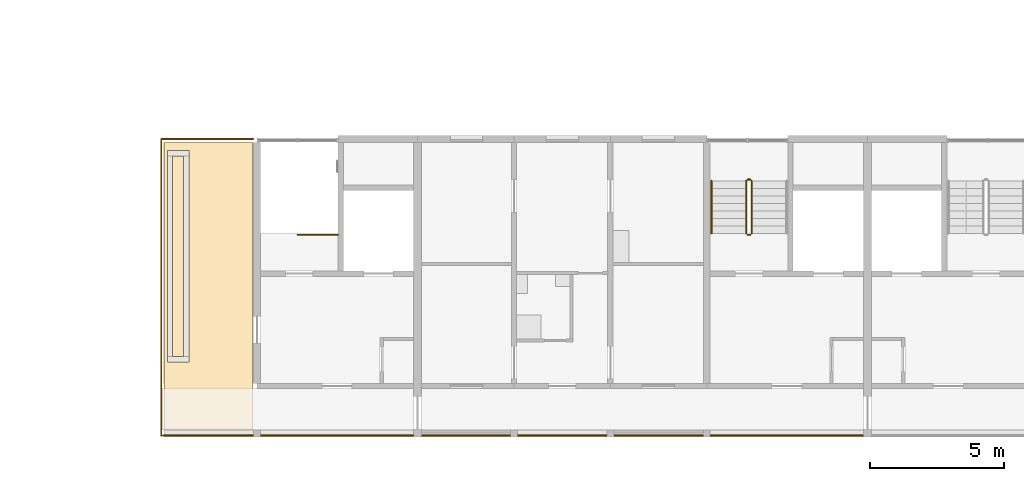
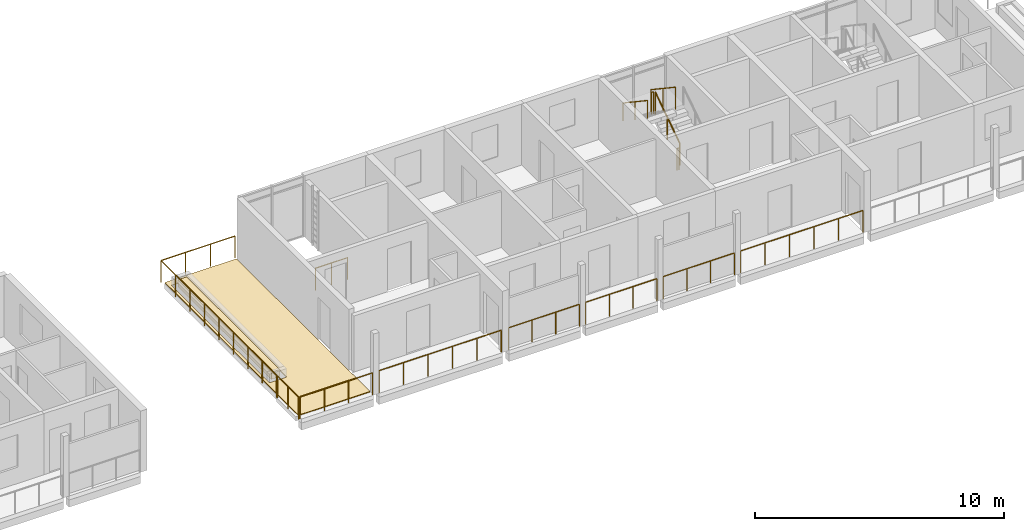
# One storey, part 45 of 55: 14 railings, 3 coverings.
"""IFC4 building model written with IfcOpenShell, lengths in metres."""

from ifc_helpers import new_model, si_unit, direction, frame, origin, origin_2d, place, context, subcontext, project, spatial, polyline, circle, outline, extrude, material, layer, layer_set, type_object, element, save


model = new_model("IFC4")

# Units and contexts
model_context = context("Model", 3, precision=1e-05, world=origin(), true_north=direction((0.0, 1.0)))
body_context = subcontext(model_context, "Body", "Model", "MODEL_VIEW")
ifc_project = project(units=[si_unit("LENGTHUNIT", "METRE"), si_unit("AREAUNIT", "SQUARE_METRE"), si_unit("VOLUMEUNIT", "CUBIC_METRE"), si_unit("PLANEANGLEUNIT", "RADIAN"), si_unit("MASSUNIT", "GRAM", prefix="KILO")], contexts=[model_context])

# Site, building, storey
site_placement = place(None, origin())
site = spatial("IfcSite", under=ifc_project, at=site_placement, CompositionType="ELEMENT")
building_placement = place(site_placement, origin())
building = spatial("IfcBuilding", under=site, at=building_placement, Name="Ridgestep Commons", CompositionType="ELEMENT")
storey_placement = place(building_placement, frame((0.0, 0.0, 36.0)))
storey = spatial("IfcBuildingStorey", under=building, at=storey_placement, Name="L12", CompositionType="ELEMENT", Elevation=36.0)

# Railings
ifc_material_1 = material(Name="Structural steel S355JR", Category="steel")
railing_type_1 = type_object("IfcRailingType", Name="Guard 1100", PredefinedType="GUARDRAIL", material=ifc_material_1)
railing_1_placement = place(storey_placement, frame((69.62109375, 13.571044921875, 0.0)))
element("IfcRailing", 1, at=railing_1_placement, inside=storey, type_object=railing_type_1, Name="Guard TD-A4R3-GD", PredefinedType="GUARDRAIL", context=body_context, shape_type="SweptSolid", body=[
    extrude(circle(Radius=0.02392578125, at=origin_2d()), frame((0.0, 0.0, 1.076171875), z_axis=(0.0, 1.0, 0.0), x_axis=(-1.0, 0.0, 0.0)), (0.0, 0.0, 1.0), 9.303955078125),
    extrude(circle(Radius=0.02392578125, at=origin_2d()), frame((0.0, 9.303955078125, 1.076171875), z_axis=(1.0, 0.0, 0.0), x_axis=(0.0, 1.0, 0.0)), (0.0, 0.0, 1.0), 3.432861328125),
    extrude(circle(Radius=0.02099609375, at=origin_2d()), origin(), (0.0, 0.0, 1.0), 1.052001953125),
    extrude(circle(Radius=0.02099609375, at=origin_2d()), frame((0.0, 1.1630859375, 0.0)), (0.0, 0.0, 1.0), 1.052001953125),
    extrude(circle(Radius=0.02099609375, at=origin_2d()), frame((0.0, 2.325927734375, 0.0)), (0.0, 0.0, 1.0), 1.052001953125),
    extrude(circle(Radius=0.02099609375, at=origin_2d()), frame((0.0, 3.489013671875, 0.0)), (0.0, 0.0, 1.0), 1.052001953125),
    extrude(circle(Radius=0.02099609375, at=origin_2d()), frame((0.0, 4.65185546875, 0.0)), (0.0, 0.0, 1.0), 1.052001953125),
    extrude(circle(Radius=0.02099609375, at=origin_2d()), frame((0.0, 5.81494140625, 0.0)), (0.0, 0.0, 1.0), 1.052001953125),
    extrude(circle(Radius=0.02099609375, at=origin_2d()), frame((0.0, 6.97802734375, 0.0)), (0.0, 0.0, 1.0), 1.052001953125),
    extrude(circle(Radius=0.02099609375, at=origin_2d()), frame((0.0, 8.140869140625, 0.0)), (0.0, 0.0, 1.0), 1.052001953125),
    extrude(circle(Radius=0.02099609375, at=origin_2d()), frame((0.0, 9.303955078125, 0.0)), (0.0, 0.0, 1.0), 1.052001953125),
    extrude(circle(Radius=0.02099609375, at=origin_2d()), frame((1.144287109375, 9.303955078125, 0.0)), (0.0, 0.0, 1.0), 1.052001953125),
    extrude(circle(Radius=0.02099609375, at=origin_2d()), frame((2.28857421875, 9.303955078125, 0.0)), (0.0, 0.0, 1.0), 1.052001953125),
    extrude(circle(Radius=0.02099609375, at=origin_2d()), frame((3.432861328125, 9.303955078125, 0.0)), (0.0, 0.0, 1.0), 1.052001953125),
])
railing_2_placement = place(storey_placement, frame((69.68408203125, 11.800048828125, 0.0)))
element("IfcRailing", 2, at=railing_2_placement, inside=storey, type_object=railing_type_1, Name="Gallery guard A 12.1", PredefinedType="GUARDRAIL", context=body_context, shape_type="SweptSolid", body=[
    extrude(circle(Radius=0.02392578125, at=origin_2d()), frame((0.0, 0.0, 1.076171875), z_axis=(1.0, 0.0, 0.0), x_axis=(0.0, 1.0, 0.0)), (0.0, 0.0, 1.0), 3.369873046875),
    extrude(circle(Radius=0.02099609375, at=origin_2d()), origin(), (0.0, 0.0, 1.0), 1.052001953125),
    extrude(circle(Radius=0.02099609375, at=origin_2d()), frame((1.123291015625, 0.0, 0.0)), (0.0, 0.0, 1.0), 1.052001953125),
    extrude(circle(Radius=0.02099609375, at=origin_2d()), frame((2.24658203125, 0.0, 0.0)), (0.0, 0.0, 1.0), 1.052001953125),
    extrude(circle(Radius=0.02099609375, at=origin_2d()), frame((3.369873046875, 0.0, 0.0)), (0.0, 0.0, 1.0), 1.052001953125),
])
railing_3_placement = place(storey_placement, frame((69.62109375, 11.800048828125, 0.0)))
element("IfcRailing", 3, at=railing_3_placement, inside=storey, type_object=railing_type_1, Name="Gallery end guard A 12.1W", PredefinedType="GUARDRAIL", context=body_context, shape_type="SweptSolid", body=[
    extrude(circle(Radius=0.02392578125, at=origin_2d()), frame((0.0, 0.0, 1.076171875), z_axis=(0.0, 1.0, 0.0), x_axis=(-1.0, 0.0, 0.0)), (0.0, 0.0, 1.0), 1.72900390625),
    extrude(circle(Radius=0.02099609375, at=origin_2d()), origin(), (0.0, 0.0, 1.0), 1.052001953125),
    extrude(circle(Radius=0.02099609375, at=origin_2d()), frame((0.0, 0.864501953125, 0.0)), (0.0, 0.0, 1.0), 1.052001953125),
    extrude(circle(Radius=0.02099609375, at=origin_2d()), frame((0.0, 1.72900390625, 0.0)), (0.0, 0.0, 1.0), 1.052001953125),
])
railing_4_placement = place(storey_placement, frame((73.345947265625, 11.800048828125, 0.0)))
element("IfcRailing", 4, at=railing_4_placement, inside=storey, type_object=railing_type_1, Name="Gallery guard A 12.2", PredefinedType="GUARDRAIL", context=body_context, shape_type="SweptSolid", body=[
    extrude(circle(Radius=0.02392578125, at=origin_2d()), frame((0.0, 0.0, 1.076171875), z_axis=(1.0, 0.0, 0.0), x_axis=(0.0, 1.0, 0.0)), (0.0, 0.0, 1.0), 5.68310546875),
    extrude(circle(Radius=0.02099609375, at=origin_2d()), origin(), (0.0, 0.0, 1.0), 1.052001953125),
    extrude(circle(Radius=0.02099609375, at=origin_2d()), frame((1.13671875, 0.0, 0.0)), (0.0, 0.0, 1.0), 1.052001953125),
    extrude(circle(Radius=0.02099609375, at=origin_2d()), frame((2.273193359375, 0.0, 0.0)), (0.0, 0.0, 1.0), 1.052001953125),
    extrude(circle(Radius=0.02099609375, at=origin_2d()), frame((3.409912109375, 0.0, 0.0)), (0.0, 0.0, 1.0), 1.052001953125),
    extrude(circle(Radius=0.02099609375, at=origin_2d()), frame((4.54638671875, 0.0, 0.0)), (0.0, 0.0, 1.0), 1.052001953125),
    extrude(circle(Radius=0.02099609375, at=origin_2d()), frame((5.68310546875, 0.0, 0.0)), (0.0, 0.0, 1.0), 1.052001953125),
])
railing_5_placement = place(storey_placement, frame((79.37109375, 11.800048828125, 0.0)))
element("IfcRailing", 5, at=railing_5_placement, inside=storey, type_object=railing_type_1, Name="Gallery guard A 12.3", PredefinedType="GUARDRAIL", context=body_context, shape_type="SweptSolid", body=[
    extrude(circle(Radius=0.02392578125, at=origin_2d()), frame((0.0, 0.0, 1.076171875), z_axis=(1.0, 0.0, 0.0), x_axis=(0.0, 1.0, 0.0)), (0.0, 0.0, 1.0), 3.282958984375),
    extrude(circle(Radius=0.02099609375, at=origin_2d()), origin(), (0.0, 0.0, 1.0), 1.052001953125),
    extrude(circle(Radius=0.02099609375, at=origin_2d()), frame((1.09423828125, 0.0, 0.0)), (0.0, 0.0, 1.0), 1.052001953125),
    extrude(circle(Radius=0.02099609375, at=origin_2d()), frame((2.188720703125, 0.0, 0.0)), (0.0, 0.0, 1.0), 1.052001953125),
    extrude(circle(Radius=0.02099609375, at=origin_2d()), frame((3.282958984375, 0.0, 0.0)), (0.0, 0.0, 1.0), 1.052001953125),
])
railing_6_placement = place(storey_placement, frame((82.946044921875, 11.800048828125, 0.0)))
element("IfcRailing", 6, at=railing_6_placement, inside=storey, type_object=railing_type_1, Name="Gallery guard A 12.4", PredefinedType="GUARDRAIL", context=body_context, shape_type="SweptSolid", body=[
    extrude(circle(Radius=0.02392578125, at=origin_2d()), frame((0.0, 0.0, 1.076171875), z_axis=(1.0, 0.0, 0.0), x_axis=(0.0, 1.0, 0.0)), (0.0, 0.0, 1.0), 3.307861328125),
    extrude(circle(Radius=0.02099609375, at=origin_2d()), origin(), (0.0, 0.0, 1.0), 1.052001953125),
    extrude(circle(Radius=0.02099609375, at=origin_2d()), frame((1.1025390625, 0.0, 0.0)), (0.0, 0.0, 1.0), 1.052001953125),
    extrude(circle(Radius=0.02099609375, at=origin_2d()), frame((2.205322265625, 0.0, 0.0)), (0.0, 0.0, 1.0), 1.052001953125),
    extrude(circle(Radius=0.02099609375, at=origin_2d()), frame((3.307861328125, 0.0, 0.0)), (0.0, 0.0, 1.0), 1.052001953125),
])
railing_7_placement = place(storey_placement, frame((86.5458984375, 11.800048828125, 0.0)))
element("IfcRailing", 7, at=railing_7_placement, inside=storey, type_object=railing_type_1, Name="Gallery guard A 12.5", PredefinedType="GUARDRAIL", context=body_context, shape_type="SweptSolid", body=[
    extrude(circle(Radius=0.02392578125, at=origin_2d()), frame((0.0, 0.0, 1.076171875), z_axis=(1.0, 0.0, 0.0), x_axis=(0.0, 1.0, 0.0)), (0.0, 0.0, 1.0), 3.30810546875),
    extrude(circle(Radius=0.02099609375, at=origin_2d()), origin(), (0.0, 0.0, 1.0), 1.052001953125),
    extrude(circle(Radius=0.02099609375, at=origin_2d()), frame((1.102783203125, 0.0, 0.0)), (0.0, 0.0, 1.0), 1.052001953125),
    extrude(circle(Radius=0.02099609375, at=origin_2d()), frame((2.205322265625, 0.0, 0.0)), (0.0, 0.0, 1.0), 1.052001953125),
    extrude(circle(Radius=0.02099609375, at=origin_2d()), frame((3.30810546875, 0.0, 0.0)), (0.0, 0.0, 1.0), 1.052001953125),
])
railing_8_placement = place(storey_placement, frame((90.14599609375, 11.800048828125, 0.0)))
element("IfcRailing", 8, at=railing_8_placement, inside=storey, type_object=railing_type_1, Name="Gallery guard A 12.6", PredefinedType="GUARDRAIL", context=body_context, shape_type="SweptSolid", body=[
    extrude(circle(Radius=0.02392578125, at=origin_2d()), frame((0.0, 0.0, 1.076171875), z_axis=(1.0, 0.0, 0.0), x_axis=(0.0, 1.0, 0.0)), (0.0, 0.0, 1.0), 5.68310546875),
    extrude(circle(Radius=0.02099609375, at=origin_2d()), origin(), (0.0, 0.0, 1.0), 1.052001953125),
    extrude(circle(Radius=0.02099609375, at=origin_2d()), frame((1.13671875, 0.0, 0.0)), (0.0, 0.0, 1.0), 1.052001953125),
    extrude(circle(Radius=0.02099609375, at=origin_2d()), frame((2.273193359375, 0.0, 0.0)), (0.0, 0.0, 1.0), 1.052001953125),
    extrude(circle(Radius=0.02099609375, at=origin_2d()), frame((3.409912109375, 0.0, 0.0)), (0.0, 0.0, 1.0), 1.052001953125),
    extrude(circle(Radius=0.02099609375, at=origin_2d()), frame((4.54638671875, 0.0, 0.0)), (0.0, 0.0, 1.0), 1.052001953125),
    extrude(circle(Radius=0.02099609375, at=origin_2d()), frame((5.68310546875, 0.0, 0.0)), (0.0, 0.0, 1.0), 1.052001953125),
])

# Covering
ifc_material_2 = material(Name="Planting soil")
ifc_layer_1 = layer(ifc_material_2, 0.35009765625)
ifc_layer_set_1 = layer_set([ifc_layer_1], Name="Planting soil 350")
covering_type_1 = type_object("IfcCoveringType", Name="Planting soil 350", PredefinedType="FLOORING", material=ifc_layer_set_1)
covering_1_placement = place(storey_placement, frame((0.0, 0.0, 0.010009765625)))
element("IfcCovering", 9, at=covering_1_placement, inside=storey, type_object=covering_type_1, Name="Planting soil A4R3", PredefinedType="FLOORING", context=body_context, shape_type="SweptSolid", body=[
    extrude(outline(polyline([(70.050048828125, 14.75), (70.449951171875, 14.75), (70.449951171875, 22.25), (70.050048828125, 22.25), (70.050048828125, 14.75)])), origin(), (0.0, 0.0, 1.0), 0.35009765625),
])

# Railings
ifc_material_3 = material(Name="Structural steel S355JR", Category="steel")
railing_type_2 = type_object("IfcRailingType", Name="Stair guard 1100", PredefinedType="GUARDRAIL", material=ifc_material_3)
railing_9_placement = place(storey_placement, frame((76.22509765625, 19.300048828125, 0.0)))
element("IfcRailing", 10, at=railing_9_placement, inside=storey, type_object=railing_type_2, Name="L12 A4C top well guard 1", PredefinedType="GUARDRAIL", context=body_context, shape_type="SweptSolid", body=[
    extrude(circle(Radius=0.02392578125, at=origin_2d()), frame((0.0, 0.0, 1.076171875), z_axis=(-1.0, 0.0, 0.0), x_axis=(0.0, -1.0, 0.0)), (0.0, 0.0, 1.0), 1.5),
    extrude(circle(Radius=0.02099609375, at=origin_2d()), origin(), (0.0, 0.0, 1.0), 1.052001953125),
    extrude(circle(Radius=0.02099609375, at=origin_2d()), frame((-0.75, 0.0, 0.0)), (0.0, 0.0, 1.0), 1.052001953125),
    extrude(circle(Radius=0.02099609375, at=origin_2d()), frame((-1.5, 0.0, 0.0)), (0.0, 0.0, 1.0), 1.052001953125),
])
railing_10_placement = place(storey_placement, frame((91.675048828125, 19.35009765625, 0.1875)))
element("IfcRailing", 11, at=railing_10_placement, inside=storey, type_object=railing_type_2, Name="L12 A5C stair guard 1", PredefinedType="GUARDRAIL", context=body_context, shape_type="SweptSolid", body=[
    extrude(circle(Radius=0.02392578125, at=origin_2d()), frame((0.0, 0.0, 1.076171875), z_axis=(0.0, 0.830902050051, 0.556418712142), x_axis=(-1.0, 0.0, 0.0)), (0.0, 0.0, 1.0), 2.35888671875),
    extrude(circle(Radius=0.02099609375, at=origin_2d()), origin(), (0.0, 0.0, 1.0), 1.052001953125),
    extrude(circle(Radius=0.02099609375, at=origin_2d()), frame((0.0, 0.97998046875, 0.65625)), (0.0, 0.0, 1.0), 1.052001953125),
    extrude(circle(Radius=0.02099609375, at=origin_2d()), frame((0.0, 1.9599609375, 1.3125)), (0.0, 0.0, 1.0), 1.052001953125),
])
railing_11_placement = place(storey_placement, frame((91.625, 21.360107421875, 1.5)))
element("IfcRailing", 12, at=railing_11_placement, inside=storey, type_object=railing_type_2, Name="L12 A5C stair guard 2", PredefinedType="GUARDRAIL", context=body_context, shape_type="SweptSolid", body=[
    extrude(circle(Radius=0.02392578125, at=origin_2d()), frame((0.0, 0.0, 1.076171875), z_axis=(-1.0, 0.0, 0.0), x_axis=(0.0, -1.0, 0.0)), (0.0, 0.0, 1.0), 0.10009765625),
    extrude(circle(Radius=0.02099609375, at=origin_2d()), origin(), (0.0, 0.0, 1.0), 1.052001953125),
    extrude(circle(Radius=0.02099609375, at=origin_2d()), frame((-0.10009765625, 0.0, 0.0)), (0.0, 0.0, 1.0), 1.052001953125),
])
railing_12_placement = place(storey_placement, frame((91.47509765625, 21.31005859375, 1.6875)))
element("IfcRailing", 13, at=railing_12_placement, inside=storey, type_object=railing_type_2, Name="L12 A5C stair guard 3", PredefinedType="GUARDRAIL", context=body_context, shape_type="SweptSolid", body=[
    extrude(circle(Radius=0.02392578125, at=origin_2d()), frame((0.0, 0.0, 1.076171875), z_axis=(0.0, -0.830902050051, 0.556418712142), x_axis=(1.0, 0.0, 0.0)), (0.0, 0.0, 1.0), 2.35888671875),
    extrude(circle(Radius=0.02099609375, at=origin_2d()), origin(), (0.0, 0.0, 1.0), 1.052001953125),
    extrude(circle(Radius=0.02099609375, at=origin_2d()), frame((0.0, -0.97998046875, 0.65625)), (0.0, 0.0, 1.0), 1.052001953125),
    extrude(circle(Radius=0.02099609375, at=origin_2d()), frame((0.0, -1.9599609375, 1.3125)), (0.0, 0.0, 1.0), 1.052001953125),
])
railing_13_placement = place(storey_placement, frame((91.625, 19.300048828125, 0.0)))
element("IfcRailing", 14, at=railing_13_placement, inside=storey, type_object=railing_type_2, Name="L12 A5C stair guard 4", PredefinedType="GUARDRAIL", context=body_context, shape_type="SweptSolid", body=[
    extrude(circle(Radius=0.02392578125, at=origin_2d()), frame((0.0, 0.0, 1.076171875), z_axis=(-1.0, 0.0, 0.0), x_axis=(0.0, -1.0, 0.0)), (0.0, 0.0, 1.0), 0.10009765625),
    extrude(circle(Radius=0.02099609375, at=origin_2d()), origin(), (0.0, 0.0, 1.0), 1.052001953125),
    extrude(circle(Radius=0.02099609375, at=origin_2d()), frame((-0.10009765625, 0.0, 0.0)), (0.0, 0.0, 1.0), 1.052001953125),
])
ifc_material_4 = material(Name="Structural steel S355JR", Category="steel")
railing_type_3 = type_object("IfcRailingType", Name="Stair handrail 900", PredefinedType="HANDRAIL", material=ifc_material_4)
railing_14_placement = place(storey_placement, frame((90.175048828125, 21.31005859375, 1.6875)))
element("IfcRailing", 15, at=railing_14_placement, inside=storey, type_object=railing_type_3, Name="L12 A5C stair handrail 2", PredefinedType="HANDRAIL", context=body_context, shape_type="SweptSolid", body=[
    extrude(circle(Radius=0.02392578125, at=origin_2d()), frame((0.0, 0.0, 0.8759765625), z_axis=(0.0, -0.830902050051, 0.556418712142), x_axis=(1.0, 0.0, 0.0)), (0.0, 0.0, 1.0), 2.35888671875),
    extrude(circle(Radius=0.02099609375, at=origin_2d()), origin(), (0.0, 0.0, 1.0), 0.851806640625),
    extrude(circle(Radius=0.02099609375, at=origin_2d()), frame((0.0, -0.97998046875, 0.65625)), (0.0, 0.0, 1.0), 0.851806640625),
    extrude(circle(Radius=0.02099609375, at=origin_2d()), frame((0.0, -1.9599609375, 1.3125)), (0.0, 0.0, 1.0), 0.851806640625),
])

# Coverings
ifc_material_5 = material(Name="Bitumen membrane, two layer")
ifc_layer_2 = layer(ifc_material_5, 0.010009765625)
ifc_layer_set_2 = layer_set([ifc_layer_2], Name="Terrace membrane 10")
covering_type_2 = type_object("IfcCoveringType", Name="Terrace membrane 10", PredefinedType="ROOFING", material=ifc_layer_set_2)
covering_2_placement = place(storey_placement, origin())
element("IfcCovering", 16, at=covering_2_placement, inside=storey, type_object=covering_type_2, Name="Terrace membrane A4R3", PredefinedType="ROOFING", context=body_context, shape_type="SweptSolid", body=[
    extrude(outline(polyline([(73.050048828125, 12.0), (73.050048828125, 22.75), (69.72509765625, 22.75), (69.72509765625, 12.0), (73.050048828125, 12.0)]), holes=[polyline([(70.64990234375, 14.550048828125), (70.64990234375, 22.449951171875), (69.85009765625, 22.449951171875), (69.85009765625, 14.550048828125), (70.64990234375, 14.550048828125)])]), origin(), (0.0, 0.0, 1.0), 0.010009765625),
])
ifc_material_6 = material(Name="Concrete paving slab", Category="concrete")
ifc_layer_3 = layer(ifc_material_6, 0.030029296875)
ifc_layer_set_3 = layer_set([ifc_layer_3], Name="Terrace paving 30")
covering_type_3 = type_object("IfcCoveringType", Name="Terrace paving 30", PredefinedType="FLOORING", material=ifc_layer_set_3)
covering_3_placement = place(storey_placement, frame((0.0, 0.0, 0.010009765625)))
element("IfcCovering", 17, at=covering_3_placement, inside=storey, type_object=covering_type_3, Name="Terrace paving A4R3", PredefinedType="FLOORING", context=body_context, shape_type="SweptSolid", body=[
    extrude(outline(polyline([(73.050048828125, 12.0), (73.050048828125, 22.75), (69.72509765625, 22.75), (69.72509765625, 12.0), (73.050048828125, 12.0)]), holes=[polyline([(70.64990234375, 14.550048828125), (70.64990234375, 22.449951171875), (69.85009765625, 22.449951171875), (69.85009765625, 14.550048828125), (70.64990234375, 14.550048828125)])]), origin(), (0.0, 0.0, 1.0), 0.030029296875),
])

save(model, "model.ifc")
